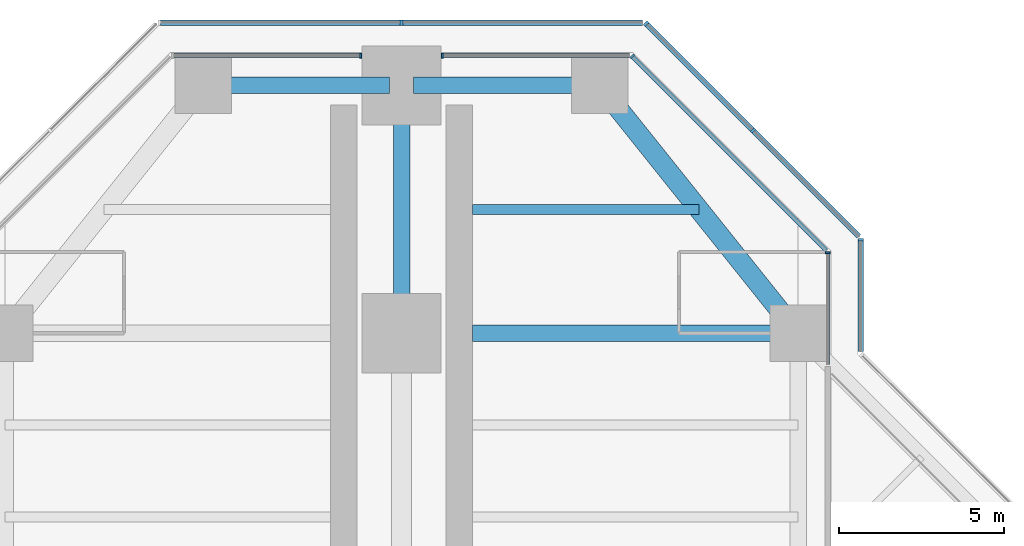
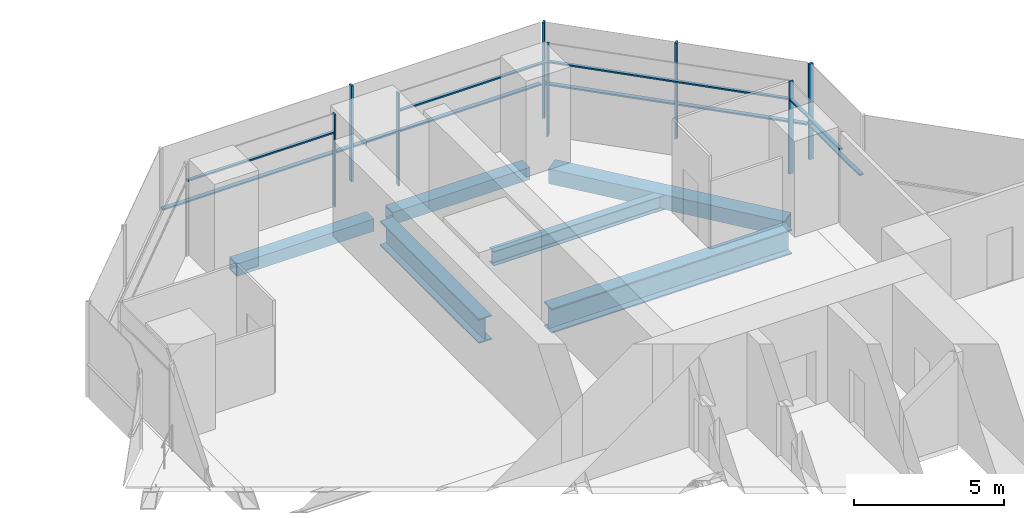
# One storey, part 10 of 20: 17 members, 6 beams, 7 elements without a shape of their own.
"""IFC4 building model written with IfcOpenShell, lengths in metres."""

import ifcopenshell
import ifcopenshell.guid

model = None  # the IFC model being written
_history = None  # IfcOwnerHistory: only IFC2X3 demands one
_inside = {}  # id of a spatial element -> (the spatial element, [elements in it])
_under = {}  # id of a project, library or spatial element -> (it, [spatial elements below it])
_declared = {}  # id of a project -> (the project, [libraries it declares])
_typed = {}  # id of a type object -> (the type object, [elements of that type])
_made_of = {}  # id of a material, layer set ... -> (it, [elements and type objects made of it])


def new_model(schema):
    """Start an empty IFC model of exactly this schema.

    Asked for "IFC4X3", IfcOpenShell would pick the latest addendum, in which some entities
    have other attributes; the version numbers below select the first issue.
    IFC2X3 requires an IfcOwnerHistory on every rooted entity: one is made here for all.
    """
    global model, _history
    if schema == "IFC4X3":
        model = ifcopenshell.file(schema_version=(4, 3, 0, 0))
    else:
        model = ifcopenshell.file(schema=schema)
    _inside.clear()
    _under.clear()
    _declared.clear()
    _typed.clear()
    _made_of.clear()
    _history = None
    if model.schema == "IFC2X3":
        org = make("IfcOrganization", Name="unknown")
        user = make(
            "IfcPersonAndOrganization",
            ThePerson=make("IfcPerson", FamilyName="unknown"),
            TheOrganization=org,
        )
        app = make(
            "IfcApplication",
            ApplicationDeveloper=org,
            Version="unknown",
            ApplicationFullName="unknown",
            ApplicationIdentifier="unknown",
        )
        _history = make(
            "IfcOwnerHistory",
            OwningUser=user,
            OwningApplication=app,
            ChangeAction="ADDED",
            CreationDate=0,
        )
    return model


def make(cls, **values):
    """One entity of the class cls with the attributes given. An attribute that is None is left unset."""
    return model.create_entity(
        cls, **{name: value for name, value in values.items() if value is not None}
    )


def rooted(cls, **values):
    """An entity with a GlobalId (a new one), such as an element, a storey or a relation."""
    return make(cls, GlobalId=ifcopenshell.guid.new(), OwnerHistory=_history, **values)


def si_unit(unit_type, name, prefix=None):
    """IfcSIUnit, for example si_unit("LENGTHUNIT", "METRE", prefix="MILLI")."""
    return make("IfcSIUnit", UnitType=unit_type, Prefix=prefix, Name=name)


def assignment(units):
    """IfcUnitAssignment: the units of a project."""
    return None if units is None else make("IfcUnitAssignment", Units=units)


def point(xyz):
    """IfcCartesianPoint."""
    return None if xyz is None else make("IfcCartesianPoint", Coordinates=xyz)


def direction(xyz):
    """IfcDirection."""
    return None if xyz is None else make("IfcDirection", DirectionRatios=xyz)


def frame(location, z_axis=None, x_axis=None):
    """IfcAxis2Placement3D, a coordinate frame: its origin and axes. An axis left out is left unset."""
    return make(
        "IfcAxis2Placement3D",
        Location=point(location),
        Axis=direction(z_axis),
        RefDirection=direction(x_axis),
    )


def frame_2d(location, x_axis=None):
    """IfcAxis2Placement2D, a coordinate frame in the plane: its origin and x axis."""
    return make(
        "IfcAxis2Placement2D", Location=point(location), RefDirection=direction(x_axis)
    )


def origin():
    """The frame at (0, 0, 0) with its axes left unset."""
    return frame((0.0, 0.0, 0.0))


def origin_2d():
    """The frame at (0, 0) in the plane with its x axis left unset."""
    return frame_2d((0.0, 0.0))


def place(relative_to, where):
    """IfcLocalPlacement: puts the frame where relative to a parent placement (None: the world)."""
    return make(
        "IfcLocalPlacement", PlacementRelTo=relative_to, RelativePlacement=where
    )


def context(
    kind, dimensions, precision=None, world=None, true_north=None, identifier=None
):
    """IfcGeometricRepresentationContext, for example the 3D "Model" context."""
    return make(
        "IfcGeometricRepresentationContext",
        ContextIdentifier=identifier,
        ContextType=kind,
        CoordinateSpaceDimension=dimensions,
        Precision=precision,
        WorldCoordinateSystem=world,
        TrueNorth=true_north,
    )


def subcontext(parent, identifier, kind, view, scale=None):
    """IfcGeometricRepresentationSubContext, for example "Body" below "Model"."""
    return make(
        "IfcGeometricRepresentationSubContext",
        ContextIdentifier=identifier,
        ContextType=kind,
        ParentContext=parent,
        TargetScale=scale,
        TargetView=view,
    )


def project(units=None, contexts=None):
    """IfcProject with its units and contexts."""
    return rooted(
        "IfcProject",
        Name="project",
        RepresentationContexts=contexts,
        UnitsInContext=assignment(units),
    )


def spatial(cls, under=None, at=None, **own):
    """A site, building, storey or space (cls), placed at a placement, below another one or the project."""
    s = rooted(cls, ObjectPlacement=at, **own)
    if under is not None:
        _under.setdefault(under.id(), (under, []))[1].append(s)
    return s


def profile(cls, at=None, kind="AREA", **sizes):
    """A parametric profile (cls). Its sizes go by their IFC names, for example OverallWidth=200.0."""
    return make(cls, ProfileType=kind, Position=at, **sizes)


def rectangle(**sizes):
    """IfcRectangleProfileDef."""
    return profile("IfcRectangleProfileDef", **sizes)


def hollow_rectangle(**sizes):
    """IfcRectangleHollowProfileDef."""
    return profile("IfcRectangleHollowProfileDef", **sizes)


def i_section(**sizes):
    """IfcIShapeProfileDef."""
    return profile("IfcIShapeProfileDef", **sizes)


def extrude(swept, where, along, depth):
    """IfcExtrudedAreaSolid: the profile swept, set in the frame where, extruded along a direction by depth."""
    return make(
        "IfcExtrudedAreaSolid",
        SweptArea=swept,
        Position=where,
        ExtrudedDirection=direction(along),
        Depth=depth,
    )


def shape(context_of_items, identifier, shape_type, items):
    """IfcShapeRepresentation: the items that make up one representation, for example the "Body"."""
    return make(
        "IfcShapeRepresentation",
        ContextOfItems=context_of_items,
        RepresentationIdentifier=identifier,
        RepresentationType=shape_type,
        Items=items,
    )


def material(Name=None, Category=None):
    """IfcMaterial."""
    return make("IfcMaterial", Name=Name, Category=Category)


def material_profile(
    of_material, cross_section, Name=None, Category=None, Priority=None
):
    """IfcMaterialProfile: a cross section and its material."""
    return make(
        "IfcMaterialProfile",
        Name=Name,
        Material=of_material,
        Profile=cross_section,
        Priority=Priority,
        Category=Category,
    )


def profile_set(profiles, Name=None, composite=None):
    """IfcMaterialProfileSet."""
    return make(
        "IfcMaterialProfileSet",
        Name=Name,
        MaterialProfiles=profiles,
        CompositeProfile=composite,
    )


def made_of(thing, what):
    """Note that an element or type object is made of a material, layer set ...; save() writes the relation."""
    if what is not None:
        _made_of.setdefault(what.id(), (what, []))[1].append(thing)
    return thing


def type_object(cls, material=None, **own):
    """A type object (cls), such as IfcWallType, which elements share."""
    return made_of(rooted(cls, **own), material)


def element(
    cls,
    number,
    at=None,
    inside=None,
    cuts=None,
    type_object=None,
    material=None,
    context=None,
    identifier="Body",
    shape_type=None,
    held_by="IfcProductDefinitionShape",
    body=None,
    shapes=None,
    **own,
):
    """One element of the class cls, such as IfcWall. Its Tag is "e" and its number.

    at: its placement. inside: the storey or other place that contains it. cuts: it is an
    opening in that element (IfcRelVoidsElement). A single representation is given by context,
    identifier, shape_type and body (its items); several are given by shapes. held_by: the class
    of the entity that holds the representations. save() writes the other relations.
    """
    e = rooted(cls, Tag="e%d" % number, ObjectPlacement=at, **own)
    if body is not None:
        shapes = [shape(context, identifier, shape_type, body)]
    if shapes is not None:
        e.Representation = make(held_by, Representations=shapes)
    if inside is not None:
        _inside.setdefault(inside.id(), (inside, []))[1].append(e)
    if cuts is not None:
        rooted(
            "IfcRelVoidsElement", RelatingBuildingElement=cuts, RelatedOpeningElement=e
        )
    if type_object is not None:
        _typed.setdefault(type_object.id(), (type_object, []))[1].append(e)
    return made_of(e, material)


def aggregate(whole, parts):
    """IfcRelAggregates: a whole, such as a stair, and the parts it consists of."""
    return rooted("IfcRelAggregates", RelatingObject=whole, RelatedObjects=parts)


def save(model, path):
    """Write the relations noted so far, then the file.

    IfcRelAggregates (storeys below a building ...), IfcRelContainedInSpatialStructure (elements
    in a storey), IfcRelDefinesByType, IfcRelAssociatesMaterial and IfcRelDeclares: one each for
    every whole, place, type object, material and project.
    """
    for whole, parts in _under.values():
        aggregate(whole, parts)
    for where, things in _inside.values():
        rooted(
            "IfcRelContainedInSpatialStructure",
            RelatedElements=things,
            RelatingStructure=where,
        )
    for kind, things in _typed.values():
        rooted("IfcRelDefinesByType", RelatedObjects=things, RelatingType=kind)
    for what, things in _made_of.values():
        rooted("IfcRelAssociatesMaterial", RelatedObjects=things, RelatingMaterial=what)
    for by, libraries in _declared.values():
        rooted("IfcRelDeclares", RelatingContext=by, RelatedDefinitions=libraries)
    model.write(path)


model = new_model("IFC4")

# Units and contexts
model_context = context("Model", 3, precision=1e-05, world=origin(), true_north=direction((0.0, 1.0)))
body_context = subcontext(model_context, "Body", "Model", "MODEL_VIEW")
ifc_project = project(units=[si_unit("LENGTHUNIT", "METRE"), si_unit("AREAUNIT", "SQUARE_METRE"), si_unit("VOLUMEUNIT", "CUBIC_METRE"), si_unit("PLANEANGLEUNIT", "RADIAN"), si_unit("MASSUNIT", "GRAM", prefix="KILO")], contexts=[model_context])

# Site, building, storey
site_placement = place(None, origin())
site = spatial("IfcSite", under=ifc_project, at=site_placement, CompositionType="ELEMENT")
building_placement = place(site_placement, origin())
building = spatial("IfcBuilding", under=site, at=building_placement, Name="Mizan Broadcast Tower", CompositionType="ELEMENT")
storey_placement = place(building_placement, frame((0.0, 0.0, 178.800048828125)))
storey = spatial("IfcBuildingStorey", under=building, at=storey_placement, Name="L41", CompositionType="ELEMENT", Elevation=178.800048828125)

# Beams
ifc_material_1 = material(Name="Steel S355", Category="steel")
ifc_material_profile_1 = material_profile(ifc_material_1, hollow_rectangle(XDim=0.5, YDim=0.5, WallThickness=0.030029296875, at=origin_2d()), Name="BOX 500x500x30")
ifc_profile_set_1 = profile_set([ifc_material_profile_1], Name="Steel S355")
beam_type_1 = type_object("IfcBeamType", Name="EDGE BEAM BOX 500x500x30", PredefinedType="SPANDREL", material=ifc_profile_set_1)
for number, where, z_axis, x_axis, name in (
    (1, (5.639892578125, 27.0, -0.380126953125), (-1.0, 0.0, 0.0), (0.0, -1.0, 0.0), "Edge beam BOX 500x500x30 L41 north arm"),
    (2, (-5.639892578125, 27.0, -0.380126953125), (1.0, 0.0, 0.0), (0.0, 1.0, 0.0), "Edge beam BOX 500x500x30 L41 north arm"),
):
    element("IfcBeam", number, at=place(storey_placement, frame(where, z_axis=z_axis, x_axis=x_axis)), inside=storey, type_object=beam_type_1, Name=name, PredefinedType="SPANDREL", context=body_context, shape_type="SweptSolid", body=[
        extrude(hollow_rectangle(XDim=0.5, YDim=0.5, WallThickness=0.030029296875, at=origin_2d()), origin(), (0.0, 0.0, 1.0), 5.27978515625),
    ])
ifc_material_2 = material(Name="Steel S355", Category="steel")
ifc_material_profile_2 = material_profile(ifc_material_2, hollow_rectangle(XDim=0.60009765625, YDim=0.60009765625, WallThickness=0.030029296875, at=origin_2d()), Name="BOX 600x600x30")
ifc_profile_set_2 = profile_set([ifc_material_profile_2], Name="Steel S355")
beam_type_2 = type_object("IfcBeamType", Name="EDGE BEAM BOX 600x600x30", PredefinedType="SPANDREL", material=ifc_profile_set_2)
beam_1_placement = place(storey_placement, frame((11.639892578125, 19.949951171875, -0.429931640625), z_axis=(-0.624673911726, 0.780885717636, 0.0), x_axis=(-0.780885717636, -0.624673911726, 0.0)))
element("IfcBeam", 3, at=beam_1_placement, inside=storey, type_object=beam_type_2, Name="Edge beam BOX 600x600x30 L41 north arm", PredefinedType="SPANDREL", context=body_context, shape_type="SweptSolid", body=[
    extrude(hollow_rectangle(XDim=0.60009765625, YDim=0.60009765625, WallThickness=0.030029296875, at=origin_2d()), origin(), (0.0, 0.0, 1.0), 8.4521484375),
])
ifc_material_3 = material(Name="Steel S460", Category="steel")
ifc_material_profile_3 = material_profile(ifc_material_3, i_section(OverallWidth=0.5, OverallDepth=1.0, WebThickness=0.02490234375, FlangeThickness=0.050048828125, at=origin_2d()), Name="WPG 1000x500")
ifc_profile_set_3 = profile_set([ifc_material_profile_3], Name="Steel S460")
beam_type_3 = type_object("IfcBeamType", Name="GIRDER WPG 1000x500", PredefinedType="BEAM", material=ifc_profile_set_3)
beam_2_placement = place(storey_placement, frame((0.0, 19.949951171875, -0.630126953125), z_axis=(0.0, 1.0, 0.0), x_axis=(-1.0, 0.0, 0.0)))
element("IfcBeam", 4, at=beam_2_placement, inside=storey, type_object=beam_type_3, Name="Girder WPG 1000x500 L41 north arm", PredefinedType="BEAM", context=body_context, shape_type="SweptSolid", body=[
    extrude(i_section(OverallWidth=0.5, OverallDepth=1.0, WebThickness=0.02490234375, FlangeThickness=0.050048828125, at=origin_2d()), origin(), (0.0, 0.0, 1.0), 6.60009765625),
])
beam_3_placement = place(storey_placement, frame((11.408935546875, 19.5, -0.630126953125), z_axis=(-1.0, 0.0, 0.0), x_axis=(0.0, -1.0, 0.0)))
element("IfcBeam", 5, at=beam_3_placement, inside=storey, type_object=beam_type_3, Name="Girder WPG 1000x500 L41 north arm", PredefinedType="BEAM", context=body_context, shape_type="SweptSolid", body=[
    extrude(i_section(OverallWidth=0.5, OverallDepth=1.0, WebThickness=0.02490234375, FlangeThickness=0.050048828125, at=origin_2d()), origin(), (0.0, 0.0, 1.0), 9.259033203125),
])

# Curtain wall, member
ifc_material_4 = material(Name="Aluminium framed glazing", Category="aluminium")
curtain_wall_type_1 = type_object("IfcCurtainWallType", Name="INNER SKIN MID ZONE", PredefinedType="USERDEFINED", material=ifc_material_4)
curtain_wall_1_placement = place(storey_placement, origin())
curtain_wall_1 = element("IfcCurtainWall", 6, at=curtain_wall_1_placement, inside=storey, type_object=curtain_wall_type_1, Name="Inner skin mid zone L41 N side", ObjectType="INNER SKIN MID ZONE", PredefinedType="USERDEFINED")
ifc_material_5 = material(Name="Aluminium, pale anodised", Category="aluminium")
ifc_material_profile_4 = material_profile(ifc_material_5, rectangle(XDim=0.159912109375, YDim=0.06005859375, at=origin_2d()), Name="MULLION 160x60")
ifc_profile_set_4 = profile_set([ifc_material_profile_4], Name="Aluminium, pale anodised")
member_type_1 = type_object("IfcMemberType", Name="INNER SKIN MULLION 60x160", PredefinedType="MULLION", material=ifc_profile_set_4)
member_1_placement = place(storey_placement, frame((12.89990234375, 21.928466796875, 0.0), z_axis=(0.0, 0.0, 1.0), x_axis=(-1.0, 0.0, 0.0)))
member_1 = element("IfcMember", 7, at=member_1_placement, type_object=member_type_1, Name="Inner skin mid zone L41 N side mullion 2", PredefinedType="MULLION", context=body_context, shape_type="SweptSolid", body=[
    extrude(rectangle(XDim=0.159912109375, YDim=0.06005859375, at=origin_2d()), origin(), (0.0, 0.0, 1.0), 3.77001953125),
])

curtain_wall_2_placement = place(storey_placement, origin())
curtain_wall_2 = element("IfcCurtainWall", 8, at=curtain_wall_2_placement, inside=storey, type_object=curtain_wall_type_1, Name="Inner skin mid zone L41 N chamfer", ObjectType="INNER SKIN MID ZONE", PredefinedType="USERDEFINED")
member_2_placement = place(storey_placement, frame((6.979736328125, 27.87890625, 0.0), z_axis=(0.0, 0.0, 1.0), x_axis=(-0.707106781187, -0.707106781187, 0.0)))
member_2 = element("IfcMember", 9, at=member_2_placement, type_object=member_type_1, Name="Inner skin mid zone L41 N chamfer mullion 2", PredefinedType="MULLION", context=body_context, shape_type="SweptSolid", body=[
    extrude(rectangle(XDim=0.159912109375, YDim=0.06005859375, at=origin_2d()), origin(), (0.0, 0.0, 1.0), 3.77001953125),
])

curtain_wall_3_placement = place(storey_placement, origin())
curtain_wall_3 = element("IfcCurtainWall", 10, at=curtain_wall_3_placement, inside=storey, type_object=curtain_wall_type_1, Name="Inner skin mid zone L41 N end", ObjectType="INNER SKIN MID ZONE", PredefinedType="USERDEFINED")
member_3_placement = place(storey_placement, frame((1.22998046875, 27.89990234375, 0.0), z_axis=(0.0, 0.0, 1.0), x_axis=(0.0, -1.0, 0.0)))
member_3 = element("IfcMember", 11, at=member_3_placement, type_object=member_type_1, Name="Inner skin mid zone L41 N end mullion 2", PredefinedType="MULLION", context=body_context, shape_type="SweptSolid", body=[
    extrude(rectangle(XDim=0.159912109375, YDim=0.06005859375, at=origin_2d()), origin(), (0.0, 0.0, 1.0), 3.77001953125),
])

curtain_wall_4_placement = place(storey_placement, origin())
curtain_wall_4 = element("IfcCurtainWall", 12, at=curtain_wall_4_placement, inside=storey, type_object=curtain_wall_type_1, Name="Inner skin mid zone L41 N end", ObjectType="INNER SKIN MID ZONE", PredefinedType="USERDEFINED")
member_4_placement = place(storey_placement, frame((-1.22998046875, 27.89990234375, 0.0), z_axis=(0.0, 0.0, 1.0), x_axis=(0.0, -1.0, 0.0)))
member_4 = element("IfcMember", 13, at=member_4_placement, type_object=member_type_1, Name="Inner skin mid zone L41 N end mullion 1", PredefinedType="MULLION", context=body_context, shape_type="SweptSolid", body=[
    extrude(rectangle(XDim=0.159912109375, YDim=0.06005859375, at=origin_2d()), origin(), (0.0, 0.0, 1.0), 3.77001953125),
])

# Member
ifc_material_6 = material(Name="Aluminium, pale anodised", Category="aluminium")
ifc_material_profile_5 = material_profile(ifc_material_6, rectangle(XDim=0.1201171875, YDim=0.06005859375, at=origin_2d()), Name="TRANSOM 120x60")
ifc_profile_set_5 = profile_set([ifc_material_profile_5], Name="Aluminium, pale anodised")
member_type_2 = type_object("IfcMemberType", Name="INNER SKIN TRANSOM 60x120", PredefinedType="USERDEFINED", material=ifc_profile_set_5)
member_5_placement = place(storey_placement, frame((12.89990234375, 18.56005859375, 3.030029296875), z_axis=(0.0, 1.0, 0.0), x_axis=(-1.0, 0.0, 0.0)))
member_5 = element("IfcMember", 14, at=member_5_placement, type_object=member_type_2, Name="Inner skin mid zone L41 N side transom 1.1", ObjectType="TRANSOM", PredefinedType="USERDEFINED", context=body_context, shape_type="SweptSolid", body=[
    extrude(rectangle(XDim=0.1201171875, YDim=0.06005859375, at=origin_2d()), origin(), (0.0, 0.0, 1.0), 3.338623046875),
])

aggregate(curtain_wall_1, [member_1, member_5])

member_6_placement = place(storey_placement, frame((12.857666015625, 22.0009765625, 3.030029296875), z_axis=(-0.707106781187, 0.707106781187, 0.0), x_axis=(-0.707106781187, -0.707106781187, 0.0)))
member_6 = element("IfcMember", 15, at=member_6_placement, type_object=member_type_2, Name="Inner skin mid zone L41 N chamfer transom 1.1", ObjectType="TRANSOM", PredefinedType="USERDEFINED", context=body_context, shape_type="SweptSolid", body=[
    extrude(rectangle(XDim=0.1201171875, YDim=0.06005859375, at=origin_2d()), origin(), (0.0, 0.0, 1.0), 8.28271484375),
])

aggregate(curtain_wall_2, [member_2, member_6])

member_7_placement = place(storey_placement, frame((6.898681640625, 27.89990234375, 3.030029296875), z_axis=(-1.0, 0.0, 0.0), x_axis=(0.0, -1.0, 0.0)))
member_7 = element("IfcMember", 16, at=member_7_placement, type_object=member_type_2, Name="Inner skin mid zone L41 N end transom 1.1", ObjectType="TRANSOM", PredefinedType="USERDEFINED", context=body_context, shape_type="SweptSolid", body=[
    extrude(rectangle(XDim=0.1201171875, YDim=0.06005859375, at=origin_2d()), origin(), (0.0, 0.0, 1.0), 5.638671875),
])

aggregate(curtain_wall_3, [member_3, member_7])

member_8_placement = place(storey_placement, frame((-1.260009765625, 27.89990234375, 3.030029296875), z_axis=(-1.0, 0.0, 0.0), x_axis=(0.0, -1.0, 0.0)))
member_8 = element("IfcMember", 17, at=member_8_placement, type_object=member_type_2, Name="Inner skin mid zone L41 N end transom 1.1", ObjectType="TRANSOM", PredefinedType="USERDEFINED", context=body_context, shape_type="SweptSolid", body=[
    extrude(rectangle(XDim=0.1201171875, YDim=0.06005859375, at=origin_2d()), origin(), (0.0, 0.0, 1.0), 5.638671875),
])

aggregate(curtain_wall_4, [member_4, member_8])

# Curtain wall, member
ifc_material_7 = material(Name="Aluminium framed glazing", Category="aluminium")
curtain_wall_type_2 = type_object("IfcCurtainWallType", Name="OUTER SKIN", PredefinedType="USERDEFINED", material=ifc_material_7)
curtain_wall_5_placement = place(storey_placement, origin())
curtain_wall_5 = element("IfcCurtainWall", 18, at=curtain_wall_5_placement, inside=storey, type_object=curtain_wall_type_2, Name="Outer skin L41 N side", ObjectType="OUTER SKIN", PredefinedType="USERDEFINED")
ifc_material_8 = material(Name="Aluminium, pale anodised", Category="aluminium")
ifc_material_profile_6 = material_profile(ifc_material_8, rectangle(XDim=0.159912109375, YDim=0.080078125, at=origin_2d()), Name="MULLION 160x80")
ifc_profile_set_6 = profile_set([ifc_material_profile_6], Name="Aluminium, pale anodised")
member_type_3 = type_object("IfcMemberType", Name="OUTER SKIN MULLION 80x160", PredefinedType="MULLION", material=ifc_profile_set_6)
member_9_placement = place(storey_placement, frame((13.89990234375, 22.332763671875, 0.0), z_axis=(0.0, 0.0, 1.0), x_axis=(-1.0, 0.0, 0.0)))
member_9 = element("IfcMember", 19, at=member_9_placement, type_object=member_type_3, Name="Outer skin L41 N side mullion 2", PredefinedType="MULLION", context=body_context, shape_type="SweptSolid", body=[
    extrude(rectangle(XDim=0.159912109375, YDim=0.080078125, at=origin_2d()), origin(), (0.0, 0.0, 1.0), 3.89990234375),
])

# Curtain wall, members
curtain_wall_6_placement = place(storey_placement, origin())
curtain_wall_6 = element("IfcCurtainWall", 20, at=curtain_wall_6_placement, inside=storey, type_object=curtain_wall_type_2, Name="Outer skin L41 N chamfer", ObjectType="OUTER SKIN", PredefinedType="USERDEFINED")
member_10_placement = place(storey_placement, frame((10.636474609375, 25.636474609375, 0.0), z_axis=(0.0, 0.0, 1.0), x_axis=(-0.707106781187, -0.707106781187, 0.0)))
member_10 = element("IfcMember", 21, at=member_10_placement, type_object=member_type_3, Name="Outer skin L41 N chamfer mullion 2", PredefinedType="MULLION", context=body_context, shape_type="SweptSolid", body=[
    extrude(rectangle(XDim=0.159912109375, YDim=0.080078125, at=origin_2d()), origin(), (0.0, 0.0, 1.0), 3.89990234375),
])
member_11_placement = place(storey_placement, frame((7.401123046875, 28.871826171875, 0.0), z_axis=(0.0, 0.0, 1.0), x_axis=(-0.707106781187, -0.707106781187, 0.0)))
member_11 = element("IfcMember", 22, at=member_11_placement, type_object=member_type_3, Name="Outer skin L41 N chamfer mullion 3", PredefinedType="MULLION", context=body_context, shape_type="SweptSolid", body=[
    extrude(rectangle(XDim=0.159912109375, YDim=0.080078125, at=origin_2d()), origin(), (0.0, 0.0, 1.0), 3.89990234375),
])

# Curtain wall, member
curtain_wall_7_placement = place(storey_placement, origin())
curtain_wall_7 = element("IfcCurtainWall", 23, at=curtain_wall_7_placement, inside=storey, type_object=curtain_wall_type_2, Name="Outer skin L41 N end", ObjectType="OUTER SKIN", PredefinedType="USERDEFINED")
member_12_placement = place(storey_placement, frame((0.0, 28.89990234375, 0.0), z_axis=(0.0, 0.0, 1.0), x_axis=(0.0, -1.0, 0.0)))
member_12 = element("IfcMember", 24, at=member_12_placement, type_object=member_type_3, Name="Outer skin L41 N end mullion 2", PredefinedType="MULLION", context=body_context, shape_type="SweptSolid", body=[
    extrude(rectangle(XDim=0.159912109375, YDim=0.080078125, at=origin_2d()), origin(), (0.0, 0.0, 1.0), 3.89990234375),
])

# Member
ifc_material_9 = material(Name="Aluminium, pale anodised", Category="aluminium")
ifc_material_profile_7 = material_profile(ifc_material_9, rectangle(XDim=0.159912109375, YDim=0.06005859375, at=origin_2d()), Name="TRANSOM 160x60")
ifc_profile_set_7 = profile_set([ifc_material_profile_7], Name="Aluminium, pale anodised")
member_type_4 = type_object("IfcMemberType", Name="OUTER SKIN TRANSOM 60x160", PredefinedType="USERDEFINED", material=ifc_profile_set_7)
member_13_placement = place(storey_placement, frame((13.89990234375, 18.952880859375, 1.39990234375), z_axis=(0.0, 1.0, 0.0), x_axis=(-1.0, 0.0, 0.0)))
member_13 = element("IfcMember", 25, at=member_13_placement, type_object=member_type_4, Name="Outer skin L41 N side transom 1.1", ObjectType="TRANSOM", PredefinedType="USERDEFINED", context=body_context, shape_type="SweptSolid", body=[
    extrude(rectangle(XDim=0.159912109375, YDim=0.06005859375, at=origin_2d()), origin(), (0.0, 0.0, 1.0), 3.33984375),
])

aggregate(curtain_wall_5, [member_9, member_13])

member_14_placement = place(storey_placement, frame((13.843505859375, 22.429443359375, 1.39990234375), z_axis=(-0.707106781187, 0.707106781187, 0.0), x_axis=(-0.707106781187, -0.707106781187, 0.0)))
member_14 = element("IfcMember", 26, at=member_14_placement, type_object=member_type_4, Name="Outer skin L41 N chamfer transom 1.1", ObjectType="TRANSOM", PredefinedType="USERDEFINED", context=body_context, shape_type="SweptSolid", body=[
    extrude(rectangle(XDim=0.159912109375, YDim=0.06005859375, at=origin_2d()), origin(), (0.0, 0.0, 1.0), 4.495361328125),
])

member_15_placement = place(storey_placement, frame((10.608154296875, 25.664794921875, 1.39990234375), z_axis=(-0.707106781187, 0.707106781187, 0.0), x_axis=(-0.707106781187, -0.707106781187, 0.0)))
member_15 = element("IfcMember", 27, at=member_15_placement, type_object=member_type_4, Name="Outer skin L41 N chamfer transom 2.1", ObjectType="TRANSOM", PredefinedType="USERDEFINED", context=body_context, shape_type="SweptSolid", body=[
    extrude(rectangle(XDim=0.159912109375, YDim=0.06005859375, at=origin_2d()), origin(), (0.0, 0.0, 1.0), 4.495361328125),
])

aggregate(curtain_wall_6, [member_10, member_11, member_14, member_15])

member_16_placement = place(storey_placement, frame((7.292724609375, 28.89990234375, 1.39990234375), z_axis=(-1.0, 0.0, 0.0), x_axis=(0.0, -1.0, 0.0)))
member_16 = element("IfcMember", 28, at=member_16_placement, type_object=member_type_4, Name="Outer skin L41 N end transom 1.1", ObjectType="TRANSOM", PredefinedType="USERDEFINED", context=body_context, shape_type="SweptSolid", body=[
    extrude(rectangle(XDim=0.159912109375, YDim=0.06005859375, at=origin_2d()), origin(), (0.0, 0.0, 1.0), 7.252685546875),
])

member_17_placement = place(storey_placement, frame((-0.0400390625, 28.89990234375, 1.39990234375), z_axis=(-1.0, 0.0, 0.0), x_axis=(0.0, -1.0, 0.0)))
member_17 = element("IfcMember", 29, at=member_17_placement, type_object=member_type_4, Name="Outer skin L41 N end transom 2.1", ObjectType="TRANSOM", PredefinedType="USERDEFINED", context=body_context, shape_type="SweptSolid", body=[
    extrude(rectangle(XDim=0.159912109375, YDim=0.06005859375, at=origin_2d()), origin(), (0.0, 0.0, 1.0), 7.252685546875),
])

aggregate(curtain_wall_7, [member_12, member_16, member_17])

# Beam
ifc_material_10 = material(Name="Steel S355", Category="steel")
ifc_material_profile_8 = material_profile(ifc_material_10, i_section(OverallWidth=0.300048828125, OverallDepth=0.590087890625, WebThickness=0.012939453125, FlangeThickness=0.02490234375, FilletRadius=0.027099609375, at=origin_2d()), Name="HEA 600")
ifc_profile_set_8 = profile_set([ifc_material_profile_8], Name="Steel S355")
beam_type_4 = type_object("IfcBeamType", Name="SECONDARY BEAM HEA 600", PredefinedType="JOIST", material=ifc_profile_set_8)
beam_4_placement = place(storey_placement, frame((9.0, 23.25, -0.425048828125), z_axis=(-1.0, 0.0, 0.0), x_axis=(0.0, -1.0, 0.0)))
element("IfcBeam", 30, at=beam_4_placement, inside=storey, type_object=beam_type_4, Name="Secondary beam HEA 600 L41 north arm", PredefinedType="JOIST", context=body_context, shape_type="SweptSolid", body=[
    extrude(i_section(OverallWidth=0.300048828125, OverallDepth=0.590087890625, WebThickness=0.012939453125, FlangeThickness=0.02490234375, FilletRadius=0.027099609375, at=origin_2d()), origin(), (0.0, 0.0, 1.0), 6.85009765625),
])

save(model, "model.ifc")
